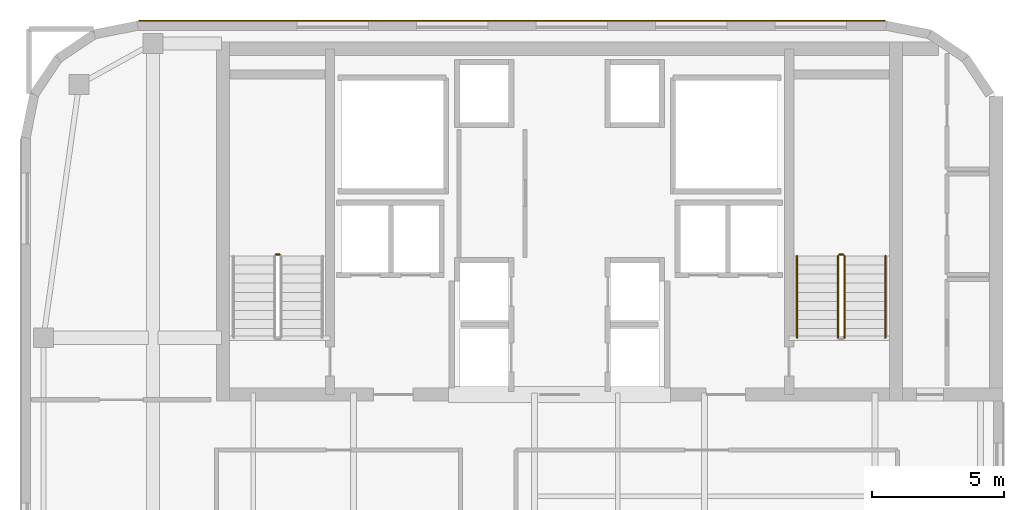
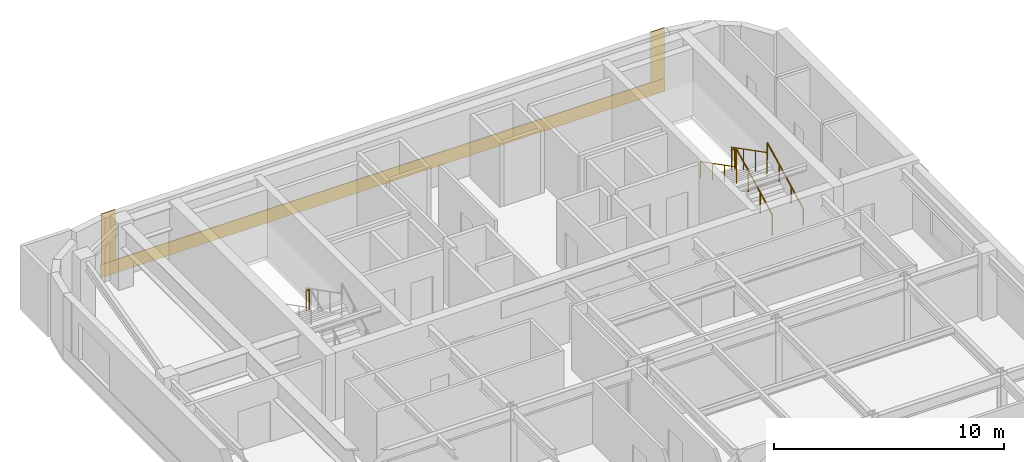
# One storey, part 10 of 10: 6 railings, 3 coverings.
"""IFC4 building model written with IfcOpenShell, lengths in metres."""

from ifc_helpers import new_model, si_unit, direction, frame, origin, origin_2d, place, context, subcontext, project, spatial, polyline, circle, outline, extrude, material, layer, layer_set, type_object, element, save


model = new_model("IFC4")

# Units and contexts
model_context = context("Model", 3, precision=1e-05, world=origin(), true_north=direction((0.0, 1.0)))
body_context = subcontext(model_context, "Body", "Model", "MODEL_VIEW")
ifc_project = project(units=[si_unit("LENGTHUNIT", "METRE"), si_unit("AREAUNIT", "SQUARE_METRE"), si_unit("VOLUMEUNIT", "CUBIC_METRE"), si_unit("PLANEANGLEUNIT", "RADIAN"), si_unit("MASSUNIT", "GRAM", prefix="KILO")], contexts=[model_context])

# Site, building, storey
site_placement = place(None, origin())
site = spatial("IfcSite", under=ifc_project, at=site_placement, CompositionType="ELEMENT")
building_placement = place(site_placement, origin())
building = spatial("IfcBuilding", under=site, at=building_placement, Name="Tolvann Quenvar Hotel", CompositionType="ELEMENT")
storey_placement = place(building_placement, frame((0.0, 0.0, 220.35009765625)))
storey = spatial("IfcBuildingStorey", under=building, at=storey_placement, Name="L58", CompositionType="ELEMENT", Elevation=220.35009765625)

# Coverings
ifc_material_1 = material(Name="Kiln-fired red architectural face brick cladding", Category="masonry")
ifc_layer_1 = layer(ifc_material_1, 0.0400390625)
ifc_layer_set_1 = layer_set([ifc_layer_1], Name="Kiln-fired red architectural face brick cladding")
covering_type_1 = type_object("IfcCoveringType", Name="COV_CLAD_BRICK_40", PredefinedType="CLADDING", material=ifc_layer_set_1)
covering_1_placement = place(storey_placement, frame((0.0, 0.0, 0.699951171875)))
element("IfcCovering", 1, at=covering_1_placement, inside=storey, type_object=covering_type_1, Name="Brick Pier Cladding (L58-E14-P1)", PredefinedType="CLADDING", context=body_context, shape_type="SweptSolid", body=[
    extrude(outline(polyline([(35.332763671875, 46.0), (34.6328125, 46.0), (34.6328125, 46.0400390625), (35.332763671875, 46.0400390625), (35.332763671875, 46.0)])), origin(), (0.0, 0.0, 1.0), 2.669921875),
])
covering_2_placement = place(storey_placement, frame((0.0, 0.0, 0.699951171875)))
element("IfcCovering", 2, at=covering_2_placement, inside=storey, type_object=covering_type_1, Name="Brick Pier Cladding (L58-E14-P2)", PredefinedType="CLADDING", context=body_context, shape_type="SweptSolid", body=[
    extrude(outline(polyline([(7.76708984375, 46.0), (7.067138671875, 46.0), (7.067138671875, 46.0400390625), (7.76708984375, 46.0400390625), (7.76708984375, 46.0)])), origin(), (0.0, 0.0, 1.0), 2.669921875),
])
ifc_material_2 = material(Name="Moulded buff architectural terracotta spandrel cladding", Category="masonry")
ifc_layer_2 = layer(ifc_material_2, 0.0400390625)
ifc_layer_set_2 = layer_set([ifc_layer_2], Name="Moulded buff architectural terracotta spandrel cladding")
covering_type_2 = type_object("IfcCoveringType", Name="COV_CLAD_TERRA_40", PredefinedType="CLADDING", material=ifc_layer_set_2)
covering_3_placement = place(storey_placement, origin())
element("IfcCovering", 3, at=covering_3_placement, inside=storey, type_object=covering_type_2, Name="Terracotta Spandrel Cladding (L58-E14)", PredefinedType="CLADDING", context=body_context, shape_type="SweptSolid", body=[
    extrude(outline(polyline([(35.3427734375, 46.0), (7.05712890625, 46.0), (7.05712890625, 46.0400390625), (35.3427734375, 46.0400390625), (35.3427734375, 46.0)])), origin(), (0.0, 0.0, 1.0), 0.699951171875),
])

# Railings
ifc_material_3 = material(Name="Brushed 316 stainless steel balustrade and handrail", Category="steel")
railing_type_1 = type_object("IfcRailingType", Name="GUARDRAIL", PredefinedType="GUARDRAIL", material=ifc_material_3)
railing_1_placement = place(storey_placement, frame((12.39990234375, 37.155029296875, 1.77490234375)))
element("IfcRailing", 4, at=railing_1_placement, inside=storey, type_object=railing_type_1, Name="L58 ST-C1 stair guard 2", PredefinedType="GUARDRAIL", context=body_context, shape_type="SweptSolid", body=[
    extrude(circle(Radius=0.02392578125, at=origin_2d()), frame((0.0, 0.0, 1.09619140625), z_axis=(-1.0, 0.0, 0.0), x_axis=(0.0, -1.0, 0.0)), (0.0, 0.0, 1.0), 0.14990234375),
    extrude(circle(Radius=0.02099609375, at=origin_2d()), origin(), (0.0, 0.0, 1.0), 1.072021484375),
    extrude(circle(Radius=0.02099609375, at=origin_2d()), frame((-0.14990234375, 0.0, 0.0)), (0.0, 0.0, 1.0), 1.072021484375),
])
railing_2_placement = place(storey_placement, frame((33.800048828125, 34.0, 0.177490234375)))
element("IfcRailing", 5, at=railing_2_placement, inside=storey, type_object=railing_type_1, Name="L58 ST-C2 stair guard 1", PredefinedType="GUARDRAIL", context=body_context, shape_type="SweptSolid", body=[
    extrude(circle(Radius=0.02392578125, at=origin_2d()), frame((0.0, 0.0, 1.09619140625), z_axis=(0.0, 0.889221982265, 0.45747597342), x_axis=(-1.0, 0.0, 0.0)), (0.0, 0.0, 1.0), 3.49169921875),
    extrude(circle(Radius=0.02099609375, at=origin_2d()), origin(), (0.0, 0.0, 1.0), 1.072021484375),
    extrude(circle(Radius=0.02099609375, at=origin_2d()), frame((0.0, 1.034912109375, 0.532470703125)), (0.0, 0.0, 1.0), 1.072021484375),
    extrude(circle(Radius=0.02099609375, at=origin_2d()), frame((0.0, 2.070068359375, 1.06494140625)), (0.0, 0.0, 1.0), 1.072021484375),
    extrude(circle(Radius=0.02099609375, at=origin_2d()), frame((0.0, 3.10498046875, 1.597412109375)), (0.0, 0.0, 1.0), 1.072021484375),
])
railing_3_placement = place(storey_placement, frame((33.75, 37.155029296875, 1.77490234375)))
element("IfcRailing", 6, at=railing_3_placement, inside=storey, type_object=railing_type_1, Name="L58 ST-C2 stair guard 2", PredefinedType="GUARDRAIL", context=body_context, shape_type="SweptSolid", body=[
    extrude(circle(Radius=0.02392578125, at=origin_2d()), frame((0.0, 0.0, 1.09619140625), z_axis=(-1.0, 0.0, 0.0), x_axis=(0.0, -1.0, 0.0)), (0.0, 0.0, 1.0), 0.14990234375),
    extrude(circle(Radius=0.02099609375, at=origin_2d()), origin(), (0.0, 0.0, 1.0), 1.072021484375),
    extrude(circle(Radius=0.02099609375, at=origin_2d()), frame((-0.14990234375, 0.0, 0.0)), (0.0, 0.0, 1.0), 1.072021484375),
])
railing_4_placement = place(storey_placement, frame((33.550048828125, 37.10498046875, 1.952392578125)))
element("IfcRailing", 7, at=railing_4_placement, inside=storey, type_object=railing_type_1, Name="L58 ST-C2 stair guard 3", PredefinedType="GUARDRAIL", context=body_context, shape_type="SweptSolid", body=[
    extrude(circle(Radius=0.02392578125, at=origin_2d()), frame((0.0, 0.0, 1.09619140625), z_axis=(0.0, -0.889221982265, 0.45747597342), x_axis=(1.0, 0.0, 0.0)), (0.0, 0.0, 1.0), 3.49169921875),
    extrude(circle(Radius=0.02099609375, at=origin_2d()), origin(), (0.0, 0.0, 1.0), 1.072021484375),
    extrude(circle(Radius=0.02099609375, at=origin_2d()), frame((0.0, -1.034912109375, 0.532470703125)), (0.0, 0.0, 1.0), 1.072021484375),
    extrude(circle(Radius=0.02099609375, at=origin_2d()), frame((0.0, -2.070068359375, 1.06494140625)), (0.0, 0.0, 1.0), 1.072021484375),
    extrude(circle(Radius=0.02099609375, at=origin_2d()), frame((0.0, -3.10498046875, 1.597412109375)), (0.0, 0.0, 1.0), 1.072021484375),
])
railing_type_2 = type_object("IfcRailingType", Name="HANDRAIL", PredefinedType="HANDRAIL", material=ifc_material_3)
railing_5_placement = place(storey_placement, frame((35.35009765625, 34.0, 0.177490234375)))
element("IfcRailing", 8, at=railing_5_placement, inside=storey, type_object=railing_type_2, Name="L58 ST-C2 stair handrail 1", PredefinedType="HANDRAIL", context=body_context, shape_type="SweptSolid", body=[
    extrude(circle(Radius=0.02392578125, at=origin_2d()), frame((0.0, 0.0, 0.8759765625), z_axis=(0.0, 0.889221982265, 0.45747597342), x_axis=(-1.0, 0.0, 0.0)), (0.0, 0.0, 1.0), 3.49169921875),
    extrude(circle(Radius=0.02099609375, at=origin_2d()), origin(), (0.0, 0.0, 1.0), 0.851806640625),
    extrude(circle(Radius=0.02099609375, at=origin_2d()), frame((0.0, 1.034912109375, 0.532470703125)), (0.0, 0.0, 1.0), 0.851806640625),
    extrude(circle(Radius=0.02099609375, at=origin_2d()), frame((0.0, 2.070068359375, 1.06494140625)), (0.0, 0.0, 1.0), 0.851806640625),
    extrude(circle(Radius=0.02099609375, at=origin_2d()), frame((0.0, 3.10498046875, 1.597412109375)), (0.0, 0.0, 1.0), 0.851806640625),
])
railing_6_placement = place(storey_placement, frame((32.0, 37.10498046875, 1.952392578125)))
element("IfcRailing", 9, at=railing_6_placement, inside=storey, type_object=railing_type_2, Name="L58 ST-C2 stair handrail 2", PredefinedType="HANDRAIL", context=body_context, shape_type="SweptSolid", body=[
    extrude(circle(Radius=0.02392578125, at=origin_2d()), frame((0.0, 0.0, 0.8759765625), z_axis=(0.0, -0.889221982265, 0.45747597342), x_axis=(1.0, 0.0, 0.0)), (0.0, 0.0, 1.0), 3.49169921875),
    extrude(circle(Radius=0.02099609375, at=origin_2d()), origin(), (0.0, 0.0, 1.0), 0.851806640625),
    extrude(circle(Radius=0.02099609375, at=origin_2d()), frame((0.0, -1.034912109375, 0.532470703125)), (0.0, 0.0, 1.0), 0.851806640625),
    extrude(circle(Radius=0.02099609375, at=origin_2d()), frame((0.0, -2.070068359375, 1.06494140625)), (0.0, 0.0, 1.0), 0.851806640625),
    extrude(circle(Radius=0.02099609375, at=origin_2d()), frame((0.0, -3.10498046875, 1.597412109375)), (0.0, 0.0, 1.0), 0.851806640625),
])

save(model, "model.ifc")
